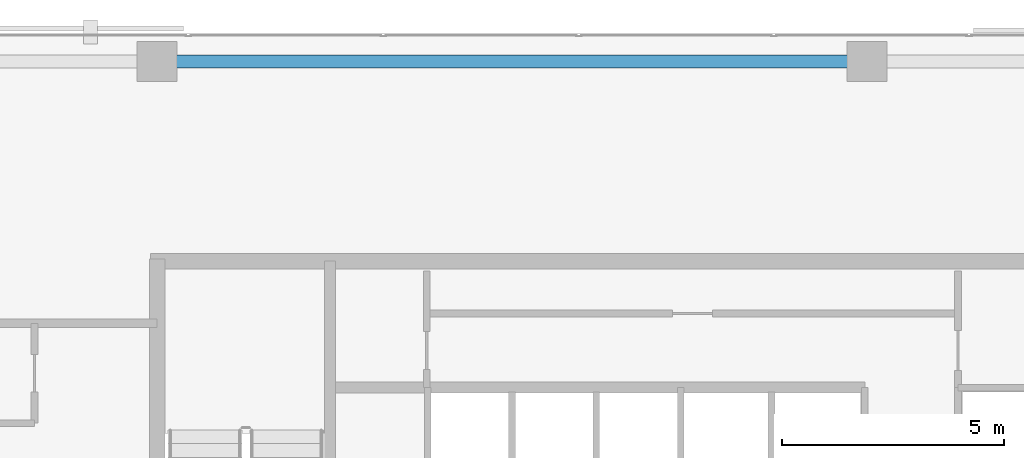
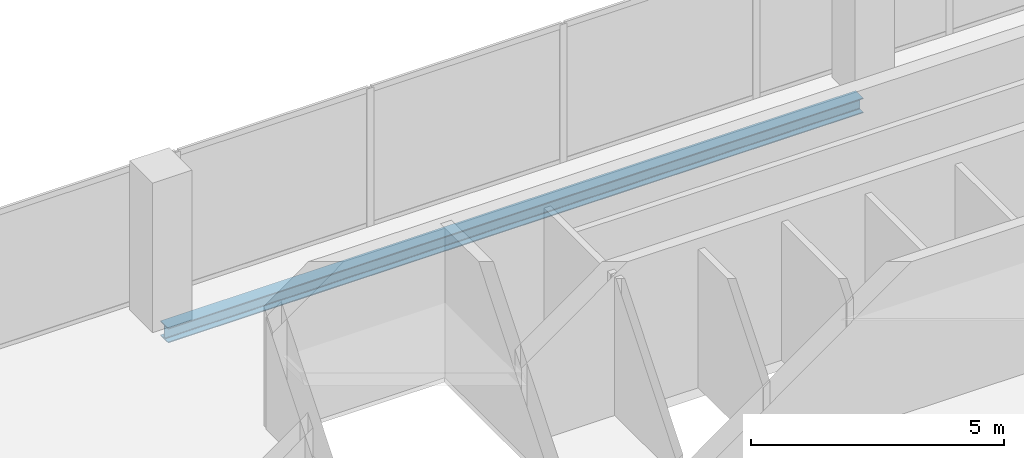
# One storey, part 21 of 34: 1 beam.
"""IFC4 building model written with IfcOpenShell, lengths in metres."""

from ifc_helpers import new_model, si_unit, direction, frame, origin, origin_2d, place, context, subcontext, project, spatial, i_section, extrude, material, material_profile, profile_set, type_object, element, save


model = new_model("IFC4")

# Units and contexts
model_context = context("Model", 3, precision=1e-05, world=origin(), true_north=direction((0.0, 1.0)))
body_context = subcontext(model_context, "Body", "Model", "MODEL_VIEW")
ifc_project = project(units=[si_unit("LENGTHUNIT", "METRE"), si_unit("AREAUNIT", "SQUARE_METRE"), si_unit("VOLUMEUNIT", "CUBIC_METRE"), si_unit("PLANEANGLEUNIT", "RADIAN"), si_unit("MASSUNIT", "GRAM", prefix="KILO")], contexts=[model_context])

# Site, building, storey
site_placement = place(None, origin())
site = spatial("IfcSite", under=ifc_project, at=site_placement, CompositionType="ELEMENT")
building_placement = place(site_placement, origin())
building = spatial("IfcBuilding", under=site, at=building_placement, Name="Catumbela Crestline Tower", CompositionType="ELEMENT")
storey_placement = place(building_placement, frame((0.0, 0.0, 111.6)))
storey = spatial("IfcBuildingStorey", under=building, at=storey_placement, Name="L28", CompositionType="ELEMENT", Elevation=111.6)

# Beam
ifc_material = material(Name="Structural steel S355J2", Category="steel")
ifc_material_profile = material_profile(ifc_material, i_section(OverallWidth=0.3, OverallDepth=0.36, WebThickness=0.0125, FlangeThickness=0.0225, FilletRadius=0.027, at=origin_2d()), Name="HEB 360")
ifc_profile_set = profile_set([ifc_material_profile], Name="Structural steel S355J2")
beam_type = type_object("IfcBeamType", Name="BS-HEB360", PredefinedType="SPANDREL", material=ifc_profile_set)
beam_placement = place(storey_placement, frame((16.08, 47.4, -0.44), z_axis=(1.0, 0.0, 0.0), x_axis=(0.0, 1.0, 0.0)))
element("IfcBeam", 1, at=beam_placement, inside=storey, type_object=beam_type, Name="L28 Spandrel SP-L28-NF19", PredefinedType="SPANDREL", context=body_context, shape_type="SweptSolid", body=[
    extrude(i_section(OverallWidth=0.3, OverallDepth=0.36, WebThickness=0.0125, FlangeThickness=0.0225, FilletRadius=0.027, at=origin_2d()), origin(), (0.0, 0.0, 1.0), 15.84),
])

save(model, "model.ifc")
